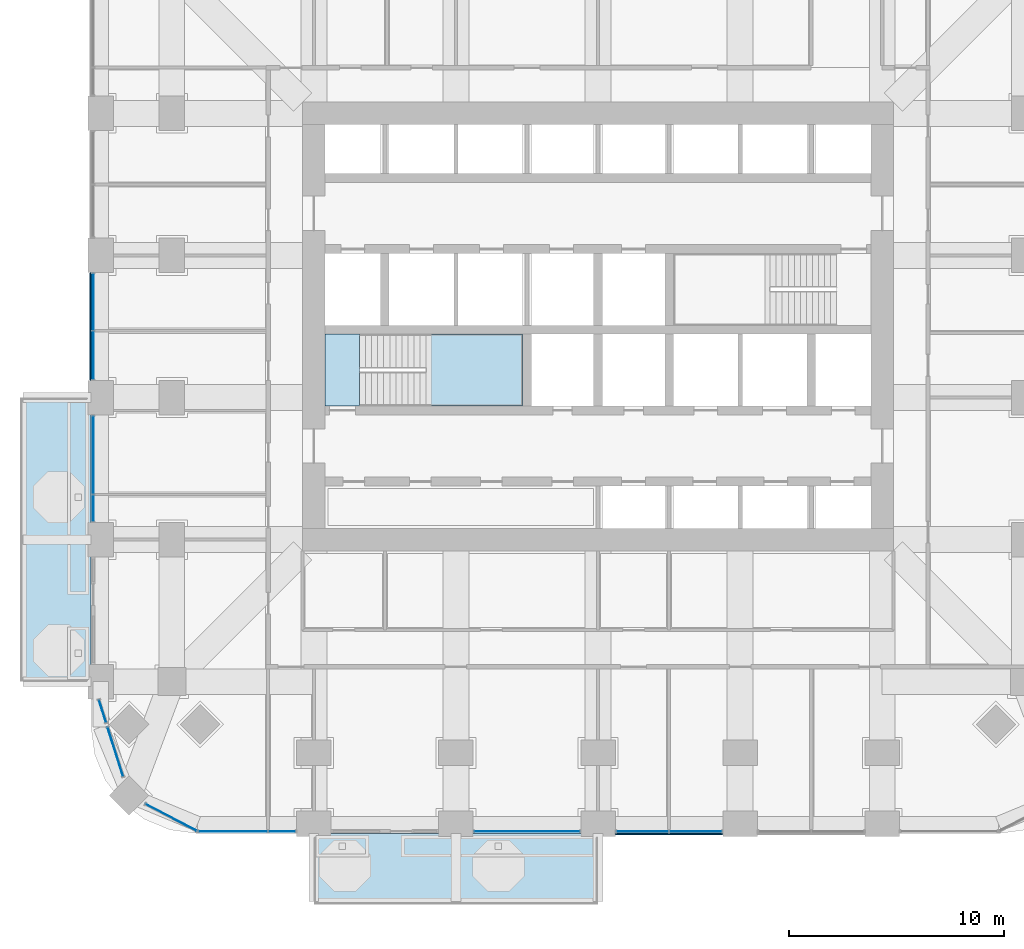
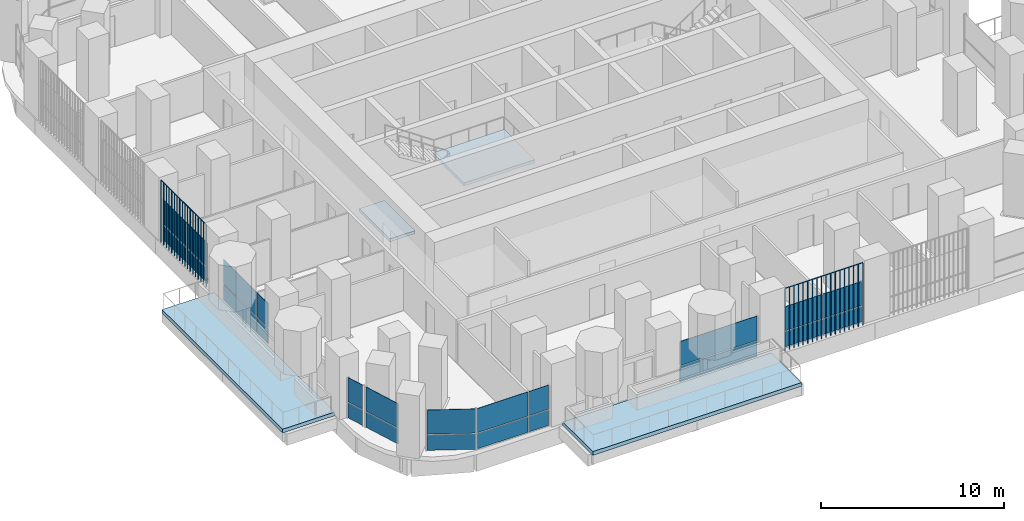
# One storey, part 8 of 21: 26 plates, 4 slabs, 9 elements without a shape of their own.
"""IFC4 building model written with IfcOpenShell, lengths in metres."""

from ifc_helpers import new_model, si_unit, direction, frame, origin, origin_2d, place, context, subcontext, project, spatial, polyline, rectangle, outline, extrude, material, layer, layer_set, type_object, element, aggregate, save


model = new_model("IFC4")

# Units and contexts
model_context = context("Model", 3, precision=1e-05, world=origin(), true_north=direction((0.0, 1.0)))
body_context = subcontext(model_context, "Body", "Model", "MODEL_VIEW")
ifc_project = project(units=[si_unit("LENGTHUNIT", "METRE"), si_unit("AREAUNIT", "SQUARE_METRE"), si_unit("VOLUMEUNIT", "CUBIC_METRE"), si_unit("PLANEANGLEUNIT", "RADIAN"), si_unit("MASSUNIT", "GRAM", prefix="KILO")], contexts=[model_context])

# Site, building, storey
site_placement = place(None, origin())
site = spatial("IfcSite", under=ifc_project, at=site_placement, CompositionType="ELEMENT")
building_placement = place(site_placement, origin())
building = spatial("IfcBuilding", under=site, at=building_placement, Name="Cobogo Forest Laboratory Tower", CompositionType="ELEMENT")
storey_placement = place(building_placement, frame((0.0, 0.0, 107.39990234375)))
storey = spatial("IfcBuildingStorey", under=building, at=storey_placement, Name="L24", CompositionType="ELEMENT", Elevation=107.39990234375)

# Slabs
ifc_material_1 = material(Name="Concrete HA-40 (C40/50)", Category="concrete")
ifc_layer_1 = layer(ifc_material_1, 0.25)
ifc_layer_set_1 = layer_set([ifc_layer_1], Name="Balcony slab 250")
slab_type_1 = type_object("IfcSlabType", Name="Balcony slab 250", PredefinedType="FLOOR", material=ifc_layer_set_1)
slab_1_placement = place(storey_placement, frame((0.0, 0.0, -0.25)))
element("IfcSlab", 1, at=slab_1_placement, inside=storey, type_object=slab_type_1, Name="Balcony BAL-S1 L24", PredefinedType="FLOOR", context=body_context, shape_type="SweptSolid", body=[
    extrude(outline(polyline([(13.199951171875, -3.75), (26.39990234375, -3.75), (26.39990234375, -0.449951171875), (13.199951171875, -0.449951171875), (13.199951171875, -3.75)])), origin(), (0.0, 0.0, 1.0), 0.25),
])
slab_2_placement = place(storey_placement, frame((0.0, 0.0, -0.25)))
element("IfcSlab", 2, at=slab_2_placement, inside=storey, type_object=slab_type_1, Name="Balcony BAL-W1 L24", PredefinedType="FLOOR", context=body_context, shape_type="SweptSolid", body=[
    extrude(outline(polyline([(-0.449951171875, 6.60009765625), (2.85009765625, 6.60009765625), (2.85009765625, 19.800048828125), (-0.449951171875, 19.800048828125), (-0.449951171875, 6.60009765625)])), origin(), (0.0, 0.0, 1.0), 0.25),
])

# Curtain wall, plates
ifc_material_2 = material(Name="Aluminium curtain wall", Category="aluminium")
curtain_wall_type = type_object("IfcCurtainWallType", Name="CW-1 unitised curtain wall, clear glazing, laboratory floors zones A and B", PredefinedType="USERDEFINED", material=ifc_material_2)
curtain_wall_1_placement = place(storey_placement, origin())
curtain_wall_1 = element("IfcCurtainWall", 3, at=curtain_wall_1_placement, inside=storey, type_object=curtain_wall_type, Name="Curtain wall 01 L24", ObjectType="UNITISED CURTAIN WALL", PredefinedType="USERDEFINED")
ifc_material_3 = material(Name="Clear insulated glass", Category="glass")
ifc_layer_2 = layer(ifc_material_3, 0.028076171875)
ifc_layer_set_2 = layer_set([ifc_layer_2], Name="GP-1 clear insulated glass unit 28")
plate_type_1 = type_object("IfcPlateType", Name="GP-1 clear insulated glass unit 28", PredefinedType="CURTAIN_PANEL", material=ifc_layer_set_2)
plate_1_placement = place(storey_placement, frame((9.452392578125, -0.35009765625, 0.0), z_axis=(0.0, 0.0, 1.0), x_axis=(1.0, 0.0, 0.0)))
plate_1 = element("IfcPlate", 4, at=plate_1_placement, type_object=plate_type_1, Name="CW-1 panel 1.1", PredefinedType="CURTAIN_PANEL", context=body_context, shape_type="SweptSolid", body=[
    extrude(rectangle(XDim=3.18505859375, YDim=0.028076171875, at=origin_2d()), origin(), (0.0, 0.0, 1.0), 1.02001953125),
])
plate_2_placement = place(storey_placement, frame((9.452392578125, -0.35009765625, 1.080078125), z_axis=(0.0, 0.0, 1.0), x_axis=(1.0, 0.0, 0.0)))
plate_2 = element("IfcPlate", 5, at=plate_2_placement, type_object=plate_type_1, Name="CW-1 panel 1.2", PredefinedType="CURTAIN_PANEL", context=body_context, shape_type="SweptSolid", body=[
    extrude(rectangle(XDim=3.18505859375, YDim=0.028076171875, at=origin_2d()), origin(), (0.0, 0.0, 1.0), 1.6201171875),
])
plate_3_placement = place(storey_placement, frame((11.722412109375, -0.35009765625, 0.0), z_axis=(0.0, 0.0, 1.0), x_axis=(1.0, 0.0, 0.0)))
plate_3 = element("IfcPlate", 6, at=plate_3_placement, type_object=plate_type_1, Name="CW-1 panel 2.1", PredefinedType="CURTAIN_PANEL", context=body_context, shape_type="SweptSolid", body=[
    extrude(rectangle(XDim=1.235107421875, YDim=0.028076171875, at=origin_2d()), origin(), (0.0, 0.0, 1.0), 1.02001953125),
])
plate_4_placement = place(storey_placement, frame((11.722412109375, -0.35009765625, 1.080078125), z_axis=(0.0, 0.0, 1.0), x_axis=(1.0, 0.0, 0.0)))
plate_4 = element("IfcPlate", 7, at=plate_4_placement, type_object=plate_type_1, Name="CW-1 panel 2.2", PredefinedType="CURTAIN_PANEL", context=body_context, shape_type="SweptSolid", body=[
    extrude(rectangle(XDim=1.235107421875, YDim=0.028076171875, at=origin_2d()), origin(), (0.0, 0.0, 1.0), 1.6201171875),
])
aggregate(curtain_wall_1, [plate_1, plate_2, plate_3, plate_4])

curtain_wall_2_placement = place(storey_placement, origin())
curtain_wall_2 = element("IfcCurtainWall", 8, at=curtain_wall_2_placement, inside=storey, type_object=curtain_wall_type, Name="Curtain wall 03 L24", ObjectType="UNITISED CURTAIN WALL", PredefinedType="USERDEFINED")
plate_5_placement = place(storey_placement, frame((23.10009765625, -0.35009765625, 0.0), z_axis=(0.0, 0.0, 1.0), x_axis=(1.0, 0.0, 0.0)))
plate_5 = element("IfcPlate", 9, at=plate_5_placement, type_object=plate_type_1, Name="CW-1 panel 1.1", PredefinedType="CURTAIN_PANEL", context=body_context, shape_type="SweptSolid", body=[
    extrude(rectangle(XDim=4.8798828125, YDim=0.028076171875, at=origin_2d()), origin(), (0.0, 0.0, 1.0), 1.02001953125),
])
plate_6_placement = place(storey_placement, frame((23.10009765625, -0.35009765625, 1.080078125), z_axis=(0.0, 0.0, 1.0), x_axis=(1.0, 0.0, 0.0)))
plate_6 = element("IfcPlate", 10, at=plate_6_placement, type_object=plate_type_1, Name="CW-1 panel 1.2", PredefinedType="CURTAIN_PANEL", context=body_context, shape_type="SweptSolid", body=[
    extrude(rectangle(XDim=4.8798828125, YDim=0.028076171875, at=origin_2d()), origin(), (0.0, 0.0, 1.0), 1.6201171875),
])
aggregate(curtain_wall_2, [plate_5, plate_6])

curtain_wall_3_placement = place(storey_placement, origin())
curtain_wall_3 = element("IfcCurtainWall", 11, at=curtain_wall_3_placement, inside=storey, type_object=curtain_wall_type, Name="Curtain wall 04 L24", ObjectType="UNITISED CURTAIN WALL", PredefinedType="USERDEFINED")
plate_7_placement = place(storey_placement, frame((28.465087890625, -0.35009765625, 0.0), z_axis=(0.0, 0.0, 1.0), x_axis=(1.0, 0.0, 0.0)))
plate_7 = element("IfcPlate", 12, at=plate_7_placement, type_object=plate_type_1, Name="CW-1 panel 1.1", PredefinedType="CURTAIN_PANEL", context=body_context, shape_type="SweptSolid", body=[
    extrude(rectangle(XDim=2.409912109375, YDim=0.028076171875, at=origin_2d()), origin(), (0.0, 0.0, 1.0), 1.02001953125),
])
plate_8_placement = place(storey_placement, frame((28.465087890625, -0.35009765625, 1.080078125), z_axis=(0.0, 0.0, 1.0), x_axis=(1.0, 0.0, 0.0)))
plate_8 = element("IfcPlate", 13, at=plate_8_placement, type_object=plate_type_1, Name="CW-1 panel 1.2", PredefinedType="CURTAIN_PANEL", context=body_context, shape_type="SweptSolid", body=[
    extrude(rectangle(XDim=2.409912109375, YDim=0.028076171875, at=origin_2d()), origin(), (0.0, 0.0, 1.0), 1.6201171875),
])
plate_9_placement = place(storey_placement, frame((30.93505859375, -0.35009765625, 0.0), z_axis=(0.0, 0.0, 1.0), x_axis=(1.0, 0.0, 0.0)))
plate_9 = element("IfcPlate", 14, at=plate_9_placement, type_object=plate_type_1, Name="CW-1 panel 2.1", PredefinedType="CURTAIN_PANEL", context=body_context, shape_type="SweptSolid", body=[
    extrude(rectangle(XDim=2.409912109375, YDim=0.028076171875, at=origin_2d()), origin(), (0.0, 0.0, 1.0), 1.02001953125),
])
plate_10_placement = place(storey_placement, frame((30.93505859375, -0.35009765625, 1.080078125), z_axis=(0.0, 0.0, 1.0), x_axis=(1.0, 0.0, 0.0)))
plate_10 = element("IfcPlate", 15, at=plate_10_placement, type_object=plate_type_1, Name="CW-1 panel 2.2", PredefinedType="CURTAIN_PANEL", context=body_context, shape_type="SweptSolid", body=[
    extrude(rectangle(XDim=2.409912109375, YDim=0.028076171875, at=origin_2d()), origin(), (0.0, 0.0, 1.0), 1.6201171875),
])
aggregate(curtain_wall_3, [plate_7, plate_8, plate_9, plate_10])

curtain_wall_4_placement = place(storey_placement, origin())
curtain_wall_4 = element("IfcCurtainWall", 16, at=curtain_wall_4_placement, inside=storey, type_object=curtain_wall_type, Name="Curtain wall 29 L24", ObjectType="UNITISED CURTAIN WALL", PredefinedType="USERDEFINED")
plate_11_placement = place(storey_placement, frame((2.949951171875, 24.235107421875, 0.0), z_axis=(0.0, 0.0, 1.0), x_axis=(0.0, -1.0, 0.0)))
plate_11 = element("IfcPlate", 17, at=plate_11_placement, type_object=plate_type_1, Name="CW-1 panel 1.1", PredefinedType="CURTAIN_PANEL", context=body_context, shape_type="SweptSolid", body=[
    extrude(rectangle(XDim=2.610107421875, YDim=0.028076171875, at=origin_2d()), origin(), (0.0, 0.0, 1.0), 1.02001953125),
])
plate_12_placement = place(storey_placement, frame((2.949951171875, 24.235107421875, 1.080078125), z_axis=(0.0, 0.0, 1.0), x_axis=(0.0, -1.0, 0.0)))
plate_12 = element("IfcPlate", 18, at=plate_12_placement, type_object=plate_type_1, Name="CW-1 panel 1.2", PredefinedType="CURTAIN_PANEL", context=body_context, shape_type="SweptSolid", body=[
    extrude(rectangle(XDim=2.610107421875, YDim=0.028076171875, at=origin_2d()), origin(), (0.0, 0.0, 1.0), 1.6201171875),
])
plate_13_placement = place(storey_placement, frame((2.949951171875, 21.764892578125, 0.0), z_axis=(0.0, 0.0, 1.0), x_axis=(0.0, -1.0, 0.0)))
plate_13 = element("IfcPlate", 19, at=plate_13_placement, type_object=plate_type_1, Name="CW-1 panel 2.1", PredefinedType="CURTAIN_PANEL", context=body_context, shape_type="SweptSolid", body=[
    extrude(rectangle(XDim=2.2099609375, YDim=0.028076171875, at=origin_2d()), origin(), (0.0, 0.0, 1.0), 1.02001953125),
])
plate_14_placement = place(storey_placement, frame((2.949951171875, 21.764892578125, 1.080078125), z_axis=(0.0, 0.0, 1.0), x_axis=(0.0, -1.0, 0.0)))
plate_14 = element("IfcPlate", 20, at=plate_14_placement, type_object=plate_type_1, Name="CW-1 panel 2.2", PredefinedType="CURTAIN_PANEL", context=body_context, shape_type="SweptSolid", body=[
    extrude(rectangle(XDim=2.2099609375, YDim=0.028076171875, at=origin_2d()), origin(), (0.0, 0.0, 1.0), 1.6201171875),
])
aggregate(curtain_wall_4, [plate_11, plate_12, plate_13, plate_14])

curtain_wall_5_placement = place(storey_placement, origin())
curtain_wall_5 = element("IfcCurtainWall", 21, at=curtain_wall_5_placement, inside=storey, type_object=curtain_wall_type, Name="Curtain wall 30 L24", ObjectType="UNITISED CURTAIN WALL", PredefinedType="USERDEFINED")
plate_15_placement = place(storey_placement, frame((2.949951171875, 17.135009765625, 0.0), z_axis=(0.0, 0.0, 1.0), x_axis=(0.0, -1.0, 0.0)))
plate_15 = element("IfcPlate", 22, at=plate_15_placement, type_object=plate_type_1, Name="CW-1 panel 1.1", PredefinedType="CURTAIN_PANEL", context=body_context, shape_type="SweptSolid", body=[
    extrude(rectangle(XDim=3.610107421875, YDim=0.028076171875, at=origin_2d()), origin(), (0.0, 0.0, 1.0), 1.02001953125),
])
plate_16_placement = place(storey_placement, frame((2.949951171875, 17.135009765625, 1.080078125), z_axis=(0.0, 0.0, 1.0), x_axis=(0.0, -1.0, 0.0)))
plate_16 = element("IfcPlate", 23, at=plate_16_placement, type_object=plate_type_1, Name="CW-1 panel 1.2", PredefinedType="CURTAIN_PANEL", context=body_context, shape_type="SweptSolid", body=[
    extrude(rectangle(XDim=3.610107421875, YDim=0.028076171875, at=origin_2d()), origin(), (0.0, 0.0, 1.0), 1.6201171875),
])
plate_17_placement = place(storey_placement, frame((2.949951171875, 14.6650390625, 0.0), z_axis=(0.0, 0.0, 1.0), x_axis=(0.0, -1.0, 0.0)))
plate_17 = element("IfcPlate", 24, at=plate_17_placement, type_object=plate_type_1, Name="CW-1 panel 2.1", PredefinedType="CURTAIN_PANEL", context=body_context, shape_type="SweptSolid", body=[
    extrude(rectangle(XDim=1.2099609375, YDim=0.028076171875, at=origin_2d()), origin(), (0.0, 0.0, 1.0), 1.02001953125),
])
plate_18_placement = place(storey_placement, frame((2.949951171875, 14.6650390625, 1.080078125), z_axis=(0.0, 0.0, 1.0), x_axis=(0.0, -1.0, 0.0)))
plate_18 = element("IfcPlate", 25, at=plate_18_placement, type_object=plate_type_1, Name="CW-1 panel 2.2", PredefinedType="CURTAIN_PANEL", context=body_context, shape_type="SweptSolid", body=[
    extrude(rectangle(XDim=1.2099609375, YDim=0.028076171875, at=origin_2d()), origin(), (0.0, 0.0, 1.0), 1.6201171875),
])
aggregate(curtain_wall_5, [plate_15, plate_16, plate_17, plate_18])

curtain_wall_6_placement = place(storey_placement, origin())
curtain_wall_6 = element("IfcCurtainWall", 26, at=curtain_wall_6_placement, inside=storey, type_object=curtain_wall_type, Name="Curtain wall 32 L24", ObjectType="UNITISED CURTAIN WALL", PredefinedType="USERDEFINED")
plate_19_placement = place(storey_placement, frame((3.3818359375, 5.232177734375, 0.0), z_axis=(0.0, 0.0, 1.0), x_axis=(0.301135667865, -0.953581307252, 0.0)))
plate_19 = element("IfcPlate", 27, at=plate_19_placement, type_object=plate_type_1, Name="CW-1 panel 1.1", PredefinedType="CURTAIN_PANEL", context=body_context, shape_type="SweptSolid", body=[
    extrude(rectangle(XDim=1.071044921875, YDim=0.028076171875, at=origin_2d()), origin(), (0.0, 0.0, 1.0), 1.02001953125),
])
plate_20_placement = place(storey_placement, frame((3.3818359375, 5.232177734375, 1.080078125), z_axis=(0.0, 0.0, 1.0), x_axis=(0.301135667865, -0.953581307252, 0.0)))
plate_20 = element("IfcPlate", 28, at=plate_20_placement, type_object=plate_type_1, Name="CW-1 panel 1.2", PredefinedType="CURTAIN_PANEL", context=body_context, shape_type="SweptSolid", body=[
    extrude(rectangle(XDim=1.071044921875, YDim=0.028076171875, at=origin_2d()), origin(), (0.0, 0.0, 1.0), 1.6201171875),
])
aggregate(curtain_wall_6, [plate_19, plate_20])

curtain_wall_7_placement = place(storey_placement, origin())
curtain_wall_7 = element("IfcCurtainWall", 29, at=curtain_wall_7_placement, inside=storey, type_object=curtain_wall_type, Name="Curtain wall 33 L24", ObjectType="UNITISED CURTAIN WALL", PredefinedType="USERDEFINED")
plate_21_placement = place(storey_placement, frame((3.978759765625, 3.342529296875, 0.0), z_axis=(0.0, 0.0, 1.0), x_axis=(0.301135291996, -0.953581425949, 0.0)))
plate_21 = element("IfcPlate", 30, at=plate_21_placement, type_object=plate_type_1, Name="CW-1 panel 1.1", PredefinedType="CURTAIN_PANEL", context=body_context, shape_type="SweptSolid", body=[
    extrude(rectangle(XDim=2.3681640625, YDim=0.028076171875, at=origin_2d()), origin(), (0.0, 0.0, 1.0), 1.02001953125),
])
plate_22_placement = place(storey_placement, frame((3.978759765625, 3.342529296875, 1.080078125), z_axis=(0.0, 0.0, 1.0), x_axis=(0.301135291996, -0.953581425949, 0.0)))
plate_22 = element("IfcPlate", 31, at=plate_22_placement, type_object=plate_type_1, Name="CW-1 panel 1.2", PredefinedType="CURTAIN_PANEL", context=body_context, shape_type="SweptSolid", body=[
    extrude(rectangle(XDim=2.3681640625, YDim=0.028076171875, at=origin_2d()), origin(), (0.0, 0.0, 1.0), 1.6201171875),
])
aggregate(curtain_wall_7, [plate_21, plate_22])

curtain_wall_8_placement = place(storey_placement, origin())
curtain_wall_8 = element("IfcCurtainWall", 32, at=curtain_wall_8_placement, inside=storey, type_object=curtain_wall_type, Name="Curtain wall 34 L24", ObjectType="UNITISED CURTAIN WALL", PredefinedType="USERDEFINED")
plate_23_placement = place(storey_placement, frame((6.57080078125, 0.29443359375, 0.0), z_axis=(0.0, 0.0, 1.0), x_axis=(0.885686547075, -0.464283685186, 0.0)))
plate_23 = element("IfcPlate", 33, at=plate_23_placement, type_object=plate_type_1, Name="CW-1 panel 1.1", PredefinedType="CURTAIN_PANEL", context=body_context, shape_type="SweptSolid", body=[
    extrude(rectangle(XDim=2.655517578125, YDim=0.028076171875, at=origin_2d()), origin(), (0.0, 0.0, 1.0), 1.02001953125),
])
plate_24_placement = place(storey_placement, frame((6.57080078125, 0.29443359375, 1.080078125), z_axis=(0.0, 0.0, 1.0), x_axis=(0.885686547075, -0.464283685186, 0.0)))
plate_24 = element("IfcPlate", 34, at=plate_24_placement, type_object=plate_type_1, Name="CW-1 panel 1.2", PredefinedType="CURTAIN_PANEL", context=body_context, shape_type="SweptSolid", body=[
    extrude(rectangle(XDim=2.655517578125, YDim=0.028076171875, at=origin_2d()), origin(), (0.0, 0.0, 1.0), 1.6201171875),
])
aggregate(curtain_wall_8, [plate_23, plate_24])

# Stair, slabs
ifc_material_4 = material(Name="Precast concrete HA-40 (C40/50)", Category="concrete")
stair_type = type_object("IfcStairType", Name="ST24 exit stair 24 risers", PredefinedType="HALF_TURN_STAIR", material=ifc_material_4)
stair_placement = place(storey_placement, origin())
stair = element("IfcStair", 35, at=stair_placement, inside=storey, type_object=stair_type, Name="Stair 1 L24 to L25", PredefinedType="HALF_TURN_STAIR")
ifc_layer_3 = layer(ifc_material_1, 0.199951171875)
ifc_layer_set_3 = layer_set([ifc_layer_3], Name="SL stair landing 200")
slab_type_2 = type_object("IfcSlabType", Name="SL stair landing 200", PredefinedType="LANDING", material=ifc_layer_set_3)
slab_3_placement = place(storey_placement, frame((0.0, 0.0, -0.199951171875)))
slab_3 = element("IfcSlab", 36, at=slab_3_placement, type_object=slab_type_2, Name="ST1 landing 1", PredefinedType="LANDING", context=body_context, shape_type="SweptSolid", body=[
    extrude(outline(polyline([(13.72509765625, 19.39990234375), (15.326904296875, 19.39990234375), (15.326904296875, 22.75), (13.72509765625, 22.75), (13.72509765625, 19.39990234375)])), origin(), (0.0, 0.0, 1.0), 0.199951171875),
])
slab_4_placement = place(storey_placement, frame((0.0, 0.0, 1.900146484375)))
slab_4 = element("IfcSlab", 37, at=slab_4_placement, type_object=slab_type_2, Name="ST1 landing 2", PredefinedType="LANDING", context=body_context, shape_type="SweptSolid", body=[
    extrude(outline(polyline([(18.403076171875, 19.39990234375), (22.89990234375, 19.39990234375), (22.89990234375, 22.75), (18.403076171875, 22.75), (18.403076171875, 19.39990234375)])), origin(), (0.0, 0.0, 1.0), 0.199951171875),
])
aggregate(stair, [slab_3, slab_4])

# Plates
ifc_material_5 = material(Name="Terracotta", Category="masonry")
plate_type_2 = type_object("IfcPlateType", Name="TB1 terracotta baguette screen", PredefinedType="USERDEFINED", material=ifc_material_5)
plate_25_placement = place(storey_placement, frame((27.231201171875, -0.477783203125, -0.14990234375)))
element("IfcPlate", 38, at=plate_25_placement, inside=storey, type_object=plate_type_2, Name="Baguette screen S3 L24", ObjectType="BAGUETTE SCREEN", PredefinedType="USERDEFINED", context=body_context, shape_type="SweptSolid", body=[
    extrude(outline(polyline([(0.02880859375, 0.011962890625), (0.011962890625, 0.02880859375), (-0.011962890625, 0.02880859375), (-0.02880859375, 0.011962890625), (-0.02880859375, -0.011962890625), (-0.011962890625, -0.02880859375), (0.011962890625, -0.02880859375), (0.02880859375, -0.011962890625), (0.02880859375, 0.011962890625)])), frame((0.0, 0.0, 4.168701171875), z_axis=(1.0, 0.0, 0.0), x_axis=(0.0, 1.0, 0.0)), (0.0, 0.0, 1.0), 4.9375),
    extrude(outline(polyline([(0.02880859375, 0.011962890625), (0.011962890625, 0.02880859375), (-0.011962890625, 0.02880859375), (-0.02880859375, 0.011962890625), (-0.02880859375, -0.011962890625), (-0.011962890625, -0.02880859375), (0.011962890625, -0.02880859375), (0.02880859375, -0.011962890625), (0.02880859375, 0.011962890625)])), origin(), (0.0, 0.0, 1.0), 4.137451171875),
    extrude(outline(polyline([(0.02880859375, 0.011962890625), (0.011962890625, 0.02880859375), (-0.011962890625, 0.02880859375), (-0.02880859375, 0.011962890625), (-0.02880859375, -0.011962890625), (-0.011962890625, -0.02880859375), (0.011962890625, -0.02880859375), (0.02880859375, -0.011962890625), (0.02880859375, 0.011962890625)])), frame((0.29052734375, 0.0, 0.0)), (0.0, 0.0, 1.0), 4.137451171875),
    extrude(outline(polyline([(0.02880859375, 0.011962890625), (0.011962890625, 0.02880859375), (-0.011962890625, 0.02880859375), (-0.02880859375, 0.011962890625), (-0.02880859375, -0.011962890625), (-0.011962890625, -0.02880859375), (0.011962890625, -0.02880859375), (0.02880859375, -0.011962890625), (0.02880859375, 0.011962890625)])), frame((0.580810546875, 0.0, 0.0)), (0.0, 0.0, 1.0), 4.137451171875),
    extrude(outline(polyline([(0.02880859375, 0.011962890625), (0.011962890625, 0.02880859375), (-0.011962890625, 0.02880859375), (-0.02880859375, 0.011962890625), (-0.02880859375, -0.011962890625), (-0.011962890625, -0.02880859375), (0.011962890625, -0.02880859375), (0.02880859375, -0.011962890625), (0.02880859375, 0.011962890625)])), frame((0.871337890625, 0.0, 0.0)), (0.0, 0.0, 1.0), 4.137451171875),
    extrude(outline(polyline([(0.02880859375, 0.011962890625), (0.011962890625, 0.02880859375), (-0.011962890625, 0.02880859375), (-0.02880859375, 0.011962890625), (-0.02880859375, -0.011962890625), (-0.011962890625, -0.02880859375), (0.011962890625, -0.02880859375), (0.02880859375, -0.011962890625), (0.02880859375, 0.011962890625)])), frame((1.161865234375, 0.0, 0.0)), (0.0, 0.0, 1.0), 4.137451171875),
    extrude(outline(polyline([(0.02880859375, 0.011962890625), (0.011962890625, 0.02880859375), (-0.011962890625, 0.02880859375), (-0.02880859375, 0.011962890625), (-0.02880859375, -0.011962890625), (-0.011962890625, -0.02880859375), (0.011962890625, -0.02880859375), (0.02880859375, -0.011962890625), (0.02880859375, 0.011962890625)])), frame((1.4521484375, 0.0, 0.0)), (0.0, 0.0, 1.0), 4.137451171875),
    extrude(outline(polyline([(0.02880859375, 0.011962890625), (0.011962890625, 0.02880859375), (-0.011962890625, 0.02880859375), (-0.02880859375, 0.011962890625), (-0.02880859375, -0.011962890625), (-0.011962890625, -0.02880859375), (0.011962890625, -0.02880859375), (0.02880859375, -0.011962890625), (0.02880859375, 0.011962890625)])), frame((1.74267578125, 0.0, 0.0)), (0.0, 0.0, 1.0), 4.137451171875),
    extrude(outline(polyline([(0.02880859375, 0.011962890625), (0.011962890625, 0.02880859375), (-0.011962890625, 0.02880859375), (-0.02880859375, 0.011962890625), (-0.02880859375, -0.011962890625), (-0.011962890625, -0.02880859375), (0.011962890625, -0.02880859375), (0.02880859375, -0.011962890625), (0.02880859375, 0.011962890625)])), frame((2.033203125, 0.0, 0.0)), (0.0, 0.0, 1.0), 4.137451171875),
    extrude(outline(polyline([(0.02880859375, 0.011962890625), (0.011962890625, 0.02880859375), (-0.011962890625, 0.02880859375), (-0.02880859375, 0.011962890625), (-0.02880859375, -0.011962890625), (-0.011962890625, -0.02880859375), (0.011962890625, -0.02880859375), (0.02880859375, -0.011962890625), (0.02880859375, 0.011962890625)])), frame((2.323486328125, 0.0, 0.0)), (0.0, 0.0, 1.0), 4.137451171875),
    extrude(outline(polyline([(0.02880859375, 0.011962890625), (0.011962890625, 0.02880859375), (-0.011962890625, 0.02880859375), (-0.02880859375, 0.011962890625), (-0.02880859375, -0.011962890625), (-0.011962890625, -0.02880859375), (0.011962890625, -0.02880859375), (0.02880859375, -0.011962890625), (0.02880859375, 0.011962890625)])), frame((2.614013671875, 0.0, 0.0)), (0.0, 0.0, 1.0), 4.137451171875),
    extrude(outline(polyline([(0.02880859375, 0.011962890625), (0.011962890625, 0.02880859375), (-0.011962890625, 0.02880859375), (-0.02880859375, 0.011962890625), (-0.02880859375, -0.011962890625), (-0.011962890625, -0.02880859375), (0.011962890625, -0.02880859375), (0.02880859375, -0.011962890625), (0.02880859375, 0.011962890625)])), frame((2.904296875, 0.0, 0.0)), (0.0, 0.0, 1.0), 4.137451171875),
    extrude(outline(polyline([(0.02880859375, 0.011962890625), (0.011962890625, 0.02880859375), (-0.011962890625, 0.02880859375), (-0.02880859375, 0.011962890625), (-0.02880859375, -0.011962890625), (-0.011962890625, -0.02880859375), (0.011962890625, -0.02880859375), (0.02880859375, -0.011962890625), (0.02880859375, 0.011962890625)])), frame((3.19482421875, 0.0, 0.0)), (0.0, 0.0, 1.0), 4.137451171875),
    extrude(outline(polyline([(0.02880859375, 0.011962890625), (0.011962890625, 0.02880859375), (-0.011962890625, 0.02880859375), (-0.02880859375, 0.011962890625), (-0.02880859375, -0.011962890625), (-0.011962890625, -0.02880859375), (0.011962890625, -0.02880859375), (0.02880859375, -0.011962890625), (0.02880859375, 0.011962890625)])), frame((3.4853515625, 0.0, 0.0)), (0.0, 0.0, 1.0), 4.137451171875),
    extrude(outline(polyline([(0.02880859375, 0.011962890625), (0.011962890625, 0.02880859375), (-0.011962890625, 0.02880859375), (-0.02880859375, 0.011962890625), (-0.02880859375, -0.011962890625), (-0.011962890625, -0.02880859375), (0.011962890625, -0.02880859375), (0.02880859375, -0.011962890625), (0.02880859375, 0.011962890625)])), frame((3.775634765625, 0.0, 0.0)), (0.0, 0.0, 1.0), 4.137451171875),
    extrude(outline(polyline([(0.02880859375, 0.011962890625), (0.011962890625, 0.02880859375), (-0.011962890625, 0.02880859375), (-0.02880859375, 0.011962890625), (-0.02880859375, -0.011962890625), (-0.011962890625, -0.02880859375), (0.011962890625, -0.02880859375), (0.02880859375, -0.011962890625), (0.02880859375, 0.011962890625)])), frame((4.066162109375, 0.0, 0.0)), (0.0, 0.0, 1.0), 4.137451171875),
    extrude(outline(polyline([(0.02880859375, 0.011962890625), (0.011962890625, 0.02880859375), (-0.011962890625, 0.02880859375), (-0.02880859375, 0.011962890625), (-0.02880859375, -0.011962890625), (-0.011962890625, -0.02880859375), (0.011962890625, -0.02880859375), (0.02880859375, -0.011962890625), (0.02880859375, 0.011962890625)])), frame((4.356689453125, 0.0, 0.0)), (0.0, 0.0, 1.0), 4.137451171875),
    extrude(outline(polyline([(0.02880859375, 0.011962890625), (0.011962890625, 0.02880859375), (-0.011962890625, 0.02880859375), (-0.02880859375, 0.011962890625), (-0.02880859375, -0.011962890625), (-0.011962890625, -0.02880859375), (0.011962890625, -0.02880859375), (0.02880859375, -0.011962890625), (0.02880859375, 0.011962890625)])), frame((4.64697265625, 0.0, 0.0)), (0.0, 0.0, 1.0), 4.137451171875),
    extrude(outline(polyline([(0.02880859375, 0.011962890625), (0.011962890625, 0.02880859375), (-0.011962890625, 0.02880859375), (-0.02880859375, 0.011962890625), (-0.02880859375, -0.011962890625), (-0.011962890625, -0.02880859375), (0.011962890625, -0.02880859375), (0.02880859375, -0.011962890625), (0.02880859375, 0.011962890625)])), frame((4.9375, 0.0, 0.0)), (0.0, 0.0, 1.0), 4.137451171875),
])
plate_26_placement = place(storey_placement, frame((2.822021484375, 20.63134765625, -0.14990234375)))
element("IfcPlate", 39, at=plate_26_placement, inside=storey, type_object=plate_type_2, Name="Baguette screen W3 L24", ObjectType="BAGUETTE SCREEN", PredefinedType="USERDEFINED", context=body_context, shape_type="SweptSolid", body=[
    extrude(outline(polyline([(0.02880859375, 0.011962890625), (0.011962890625, 0.02880859375), (-0.011962890625, 0.02880859375), (-0.02880859375, 0.011962890625), (-0.02880859375, -0.011962890625), (-0.011962890625, -0.02880859375), (0.011962890625, -0.02880859375), (0.02880859375, -0.011962890625), (0.02880859375, 0.011962890625)])), frame((0.0, 0.0, 4.168701171875), z_axis=(0.0, 1.0, 0.0), x_axis=(-1.0, 0.0, 0.0)), (0.0, 0.0, 1.0), 4.9375),
    extrude(outline(polyline([(0.02880859375, 0.011962890625), (0.011962890625, 0.02880859375), (-0.011962890625, 0.02880859375), (-0.02880859375, 0.011962890625), (-0.02880859375, -0.011962890625), (-0.011962890625, -0.02880859375), (0.011962890625, -0.02880859375), (0.02880859375, -0.011962890625), (0.02880859375, 0.011962890625)])), origin(), (0.0, 0.0, 1.0), 4.137451171875),
    extrude(outline(polyline([(0.02880859375, 0.011962890625), (0.011962890625, 0.02880859375), (-0.011962890625, 0.02880859375), (-0.02880859375, 0.011962890625), (-0.02880859375, -0.011962890625), (-0.011962890625, -0.02880859375), (0.011962890625, -0.02880859375), (0.02880859375, -0.011962890625), (0.02880859375, 0.011962890625)])), frame((0.0, 0.29052734375, 0.0)), (0.0, 0.0, 1.0), 4.137451171875),
    extrude(outline(polyline([(0.02880859375, 0.011962890625), (0.011962890625, 0.02880859375), (-0.011962890625, 0.02880859375), (-0.02880859375, 0.011962890625), (-0.02880859375, -0.011962890625), (-0.011962890625, -0.02880859375), (0.011962890625, -0.02880859375), (0.02880859375, -0.011962890625), (0.02880859375, 0.011962890625)])), frame((0.0, 0.580810546875, 0.0)), (0.0, 0.0, 1.0), 4.137451171875),
    extrude(outline(polyline([(0.02880859375, 0.011962890625), (0.011962890625, 0.02880859375), (-0.011962890625, 0.02880859375), (-0.02880859375, 0.011962890625), (-0.02880859375, -0.011962890625), (-0.011962890625, -0.02880859375), (0.011962890625, -0.02880859375), (0.02880859375, -0.011962890625), (0.02880859375, 0.011962890625)])), frame((0.0, 0.871337890625, 0.0)), (0.0, 0.0, 1.0), 4.137451171875),
    extrude(outline(polyline([(0.02880859375, 0.011962890625), (0.011962890625, 0.02880859375), (-0.011962890625, 0.02880859375), (-0.02880859375, 0.011962890625), (-0.02880859375, -0.011962890625), (-0.011962890625, -0.02880859375), (0.011962890625, -0.02880859375), (0.02880859375, -0.011962890625), (0.02880859375, 0.011962890625)])), frame((0.0, 1.161865234375, 0.0)), (0.0, 0.0, 1.0), 4.137451171875),
    extrude(outline(polyline([(0.02880859375, 0.011962890625), (0.011962890625, 0.02880859375), (-0.011962890625, 0.02880859375), (-0.02880859375, 0.011962890625), (-0.02880859375, -0.011962890625), (-0.011962890625, -0.02880859375), (0.011962890625, -0.02880859375), (0.02880859375, -0.011962890625), (0.02880859375, 0.011962890625)])), frame((0.0, 1.4521484375, 0.0)), (0.0, 0.0, 1.0), 4.137451171875),
    extrude(outline(polyline([(0.02880859375, 0.011962890625), (0.011962890625, 0.02880859375), (-0.011962890625, 0.02880859375), (-0.02880859375, 0.011962890625), (-0.02880859375, -0.011962890625), (-0.011962890625, -0.02880859375), (0.011962890625, -0.02880859375), (0.02880859375, -0.011962890625), (0.02880859375, 0.011962890625)])), frame((0.0, 1.74267578125, 0.0)), (0.0, 0.0, 1.0), 4.137451171875),
    extrude(outline(polyline([(0.02880859375, 0.011962890625), (0.011962890625, 0.02880859375), (-0.011962890625, 0.02880859375), (-0.02880859375, 0.011962890625), (-0.02880859375, -0.011962890625), (-0.011962890625, -0.02880859375), (0.011962890625, -0.02880859375), (0.02880859375, -0.011962890625), (0.02880859375, 0.011962890625)])), frame((0.0, 2.033203125, 0.0)), (0.0, 0.0, 1.0), 4.137451171875),
    extrude(outline(polyline([(0.02880859375, 0.011962890625), (0.011962890625, 0.02880859375), (-0.011962890625, 0.02880859375), (-0.02880859375, 0.011962890625), (-0.02880859375, -0.011962890625), (-0.011962890625, -0.02880859375), (0.011962890625, -0.02880859375), (0.02880859375, -0.011962890625), (0.02880859375, 0.011962890625)])), frame((0.0, 2.323486328125, 0.0)), (0.0, 0.0, 1.0), 4.137451171875),
    extrude(outline(polyline([(0.02880859375, 0.011962890625), (0.011962890625, 0.02880859375), (-0.011962890625, 0.02880859375), (-0.02880859375, 0.011962890625), (-0.02880859375, -0.011962890625), (-0.011962890625, -0.02880859375), (0.011962890625, -0.02880859375), (0.02880859375, -0.011962890625), (0.02880859375, 0.011962890625)])), frame((0.0, 2.614013671875, 0.0)), (0.0, 0.0, 1.0), 4.137451171875),
    extrude(outline(polyline([(0.02880859375, 0.011962890625), (0.011962890625, 0.02880859375), (-0.011962890625, 0.02880859375), (-0.02880859375, 0.011962890625), (-0.02880859375, -0.011962890625), (-0.011962890625, -0.02880859375), (0.011962890625, -0.02880859375), (0.02880859375, -0.011962890625), (0.02880859375, 0.011962890625)])), frame((0.0, 2.904296875, 0.0)), (0.0, 0.0, 1.0), 4.137451171875),
    extrude(outline(polyline([(0.02880859375, 0.011962890625), (0.011962890625, 0.02880859375), (-0.011962890625, 0.02880859375), (-0.02880859375, 0.011962890625), (-0.02880859375, -0.011962890625), (-0.011962890625, -0.02880859375), (0.011962890625, -0.02880859375), (0.02880859375, -0.011962890625), (0.02880859375, 0.011962890625)])), frame((0.0, 3.19482421875, 0.0)), (0.0, 0.0, 1.0), 4.137451171875),
    extrude(outline(polyline([(0.02880859375, 0.011962890625), (0.011962890625, 0.02880859375), (-0.011962890625, 0.02880859375), (-0.02880859375, 0.011962890625), (-0.02880859375, -0.011962890625), (-0.011962890625, -0.02880859375), (0.011962890625, -0.02880859375), (0.02880859375, -0.011962890625), (0.02880859375, 0.011962890625)])), frame((0.0, 3.4853515625, 0.0)), (0.0, 0.0, 1.0), 4.137451171875),
    extrude(outline(polyline([(0.02880859375, 0.011962890625), (0.011962890625, 0.02880859375), (-0.011962890625, 0.02880859375), (-0.02880859375, 0.011962890625), (-0.02880859375, -0.011962890625), (-0.011962890625, -0.02880859375), (0.011962890625, -0.02880859375), (0.02880859375, -0.011962890625), (0.02880859375, 0.011962890625)])), frame((0.0, 3.775634765625, 0.0)), (0.0, 0.0, 1.0), 4.137451171875),
    extrude(outline(polyline([(0.02880859375, 0.011962890625), (0.011962890625, 0.02880859375), (-0.011962890625, 0.02880859375), (-0.02880859375, 0.011962890625), (-0.02880859375, -0.011962890625), (-0.011962890625, -0.02880859375), (0.011962890625, -0.02880859375), (0.02880859375, -0.011962890625), (0.02880859375, 0.011962890625)])), frame((0.0, 4.066162109375, 0.0)), (0.0, 0.0, 1.0), 4.137451171875),
    extrude(outline(polyline([(0.02880859375, 0.011962890625), (0.011962890625, 0.02880859375), (-0.011962890625, 0.02880859375), (-0.02880859375, 0.011962890625), (-0.02880859375, -0.011962890625), (-0.011962890625, -0.02880859375), (0.011962890625, -0.02880859375), (0.02880859375, -0.011962890625), (0.02880859375, 0.011962890625)])), frame((0.0, 4.356689453125, 0.0)), (0.0, 0.0, 1.0), 4.137451171875),
    extrude(outline(polyline([(0.02880859375, 0.011962890625), (0.011962890625, 0.02880859375), (-0.011962890625, 0.02880859375), (-0.02880859375, 0.011962890625), (-0.02880859375, -0.011962890625), (-0.011962890625, -0.02880859375), (0.011962890625, -0.02880859375), (0.02880859375, -0.011962890625), (0.02880859375, 0.011962890625)])), frame((0.0, 4.64697265625, 0.0)), (0.0, 0.0, 1.0), 4.137451171875),
    extrude(outline(polyline([(0.02880859375, 0.011962890625), (0.011962890625, 0.02880859375), (-0.011962890625, 0.02880859375), (-0.02880859375, 0.011962890625), (-0.02880859375, -0.011962890625), (-0.011962890625, -0.02880859375), (0.011962890625, -0.02880859375), (0.02880859375, -0.011962890625), (0.02880859375, 0.011962890625)])), frame((0.0, 4.9375, 0.0)), (0.0, 0.0, 1.0), 4.137451171875),
])

save(model, "model.ifc")
